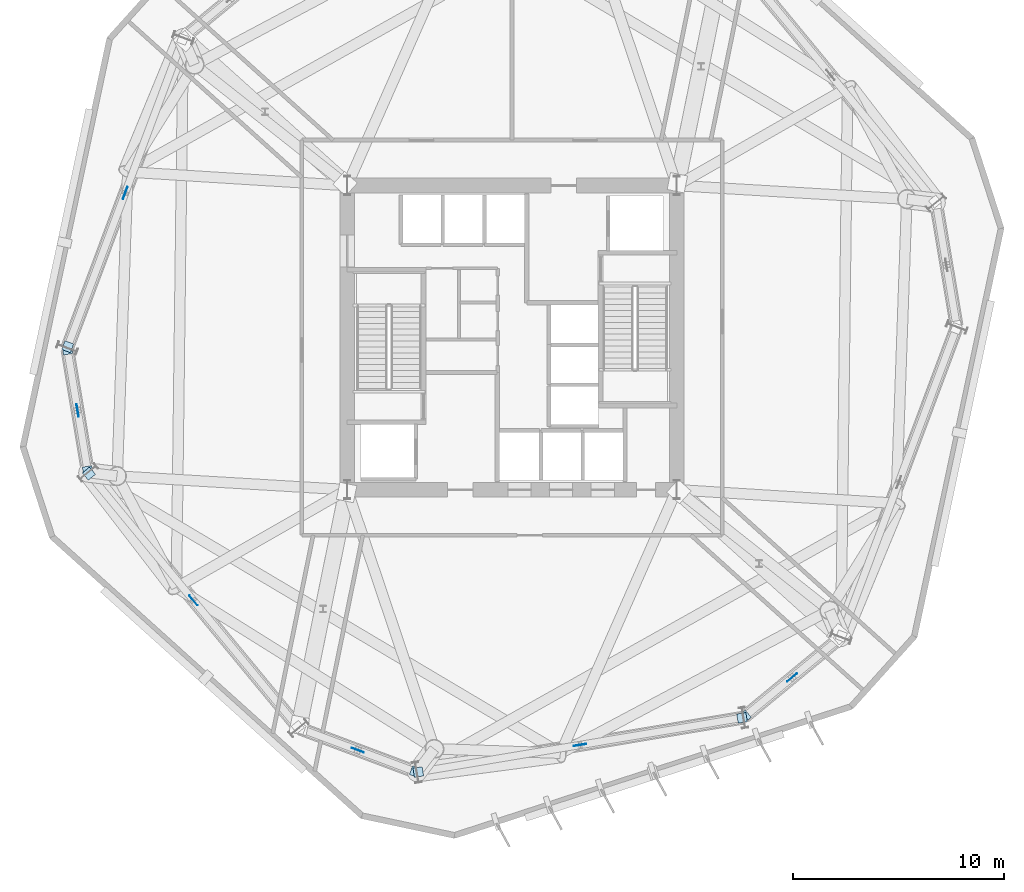
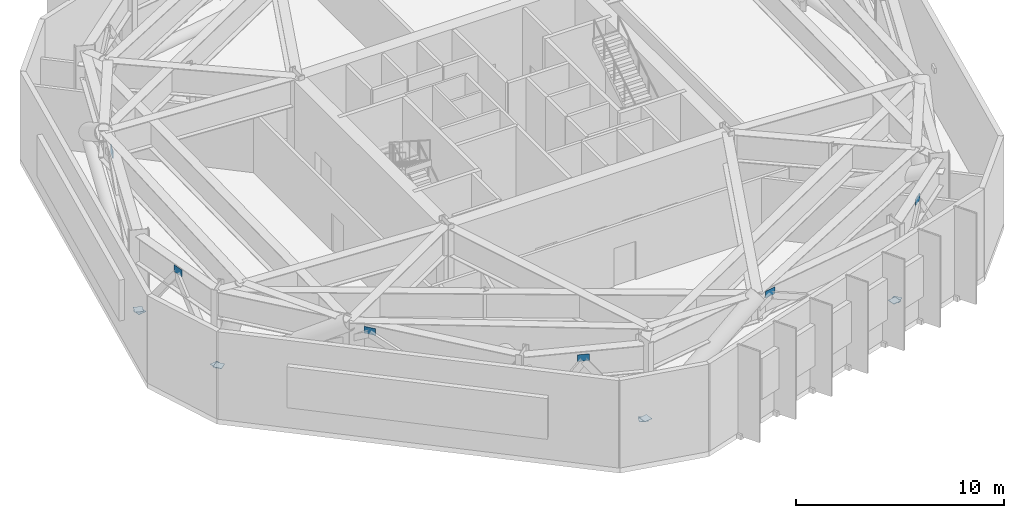
# One storey, part 4 of 12: 14 plates.
"""IFC4 building model written with IfcOpenShell, lengths in metres."""

from ifc_helpers import new_model, si_unit, direction, frame, origin, origin_2d, place, context, subcontext, project, spatial, rectangle, extrude, material, layer, layer_set, type_object, element, save


model = new_model("IFC4")

# Units and contexts
model_context = context("Model", 3, precision=1e-05, world=origin(), true_north=direction((0.0, 1.0)))
body_context = subcontext(model_context, "Body", "Model", "MODEL_VIEW")
ifc_project = project(units=[si_unit("LENGTHUNIT", "METRE"), si_unit("AREAUNIT", "SQUARE_METRE"), si_unit("VOLUMEUNIT", "CUBIC_METRE"), si_unit("PLANEANGLEUNIT", "RADIAN"), si_unit("MASSUNIT", "GRAM", prefix="KILO")], contexts=[model_context])

# Site, building, storey
site_placement = place(None, origin())
site = spatial("IfcSite", under=ifc_project, at=site_placement, CompositionType="ELEMENT")
building_placement = place(site_placement, origin())
building = spatial("IfcBuilding", under=site, at=building_placement, Name="Kranzbogen Civic Tower", CompositionType="ELEMENT")
storey_placement = place(building_placement, frame((0.0, 0.0, 92.0)))
storey = spatial("IfcBuildingStorey", under=building, at=storey_placement, Name="L22", CompositionType="ELEMENT", Elevation=92.0)

# Plates
ifc_material = material(Name="Steel S355", Category="steel")
ifc_layer_1 = layer(ifc_material, 0.028076171875, Name="Steel S355")
ifc_layer_set_1 = layer_set([ifc_layer_1], Name="Steel S355")
plate_type_1 = type_object("IfcPlateType", Name="Belt Truss Node Gusset Plate 600x400x28", PredefinedType="USERDEFINED", material=ifc_layer_set_1)
for number, where, z_axis, x_axis, name in (
    (1, (4.43603515625, 21.55908203125, 4.39013671875), (0.0, 0.0, 1.0), (0.164944321369, -0.986302879874, 0.0), "L22 belt truss apex gusset plate 01"),
    (2, (9.9150390625, 12.56494140625, 4.39013671875), (0.0, 0.0, 1.0), (0.63609168757, -0.771613481611, 0.0), "L22 belt truss apex gusset plate 02"),
    (3, (17.697998046875, 5.469970703125, 4.39013671875), (0.0, 0.0, 1.0), (0.936647737878, -0.350272772461, 0.0), "L22 belt truss apex gusset plate 03"),
    (4, (28.22705078125, 5.718017578125, 4.39013671875), (0.0, 0.0, 1.0), (0.986282720763, 0.165064819767, 0.0), "L22 belt truss apex gusset plate 04"),
    (5, (38.262939453125, 8.912109375, 4.39013671875), (0.0, 0.0, 1.0), (0.771657887308, 0.636037817237, 0.0), "L22 belt truss apex gusset plate 05"),
    (6, (6.68798828125, 31.845947265625, 4.39013671875), (0.0, 0.0, 1.0), (-0.350174685019, -0.936684413221, 0.0), "L22 belt truss apex gusset plate 12"),
):
    element("IfcPlate", number, at=place(storey_placement, frame(where, z_axis=z_axis, x_axis=x_axis)), inside=storey, type_object=plate_type_1, Name=name, ObjectType="GUSSET_PLATE", PredefinedType="USERDEFINED", context=body_context, shape_type="SweptSolid", body=[
        extrude(rectangle(XDim=0.60009765625, YDim=0.028076171875, at=origin_2d()), origin(), (0.0, 0.0, 1.0), 0.39990234375),
    ])
ifc_layer_2 = layer(ifc_material, 0.02490234375, Name="Steel S355")
ifc_layer_set_2 = layer_set([ifc_layer_2], Name="Steel S355")
plate_type_2 = type_object("IfcPlateType", Name="Hollow Section Sealed End Cap Plate 440x440x25", PredefinedType="SHEET", material=ifc_layer_set_2)
for number, where, z_axis, x_axis, name in (
    (7, (3.955078125, 24.431884765625, 0.62744140625), (0.0, 0.0, 1.0), (0.1651853157, -0.98626254693, 0.0), "DG-350: L22 belt truss diagonal 01A end cap 1"),
    (8, (4.916015625, 18.68603515625, 0.62744140625), (0.0, 0.0, 1.0), (-0.164841035069, 0.986320147395, 0.0), "DG-350: L22 belt truss diagonal 01B end cap 1"),
    (9, (4.971923828125, 18.56103515625, 0.631591796875), (0.0, 0.0, 1.0), (0.636132088286, -0.77158017487, 0.0), "DG-350: L22 belt truss diagonal 02A end cap 1"),
    (10, (20.427001953125, 4.448974609375, 0.62744140625), (0.0, 0.0, 1.0), (-0.936641624323, 0.350289119994, 0.0), "DG-350: L22 belt truss diagonal 03B end cap 1"),
    (11, (20.56298828125, 4.43505859375, 0.631591796875), (0.0, 0.0, 1.0), (0.986279839688, 0.165082033622, 0.0), "DG-350: L22 belt truss diagonal 04A end cap 1"),
    (12, (35.889892578125, 7.0009765625, 0.631591796875), (0.0, 0.0, 1.0), (-0.986274076637, -0.165116461183, 0.0), "DG-350: L22 belt truss diagonal 04B end cap 1"),
    (13, (36.013916015625, 7.05810546875, 0.62744140625), (0.0, 0.0, 1.0), (0.771624583388, 0.636078220278, 0.0), "DG-350: L22 belt truss diagonal 05A end cap 1"),
    (14, (3.967041015625, 24.569091796875, 0.631591796875), (0.0, 0.0, 1.0), (0.350207381259, 0.936672189248, 0.0), "DG-350: L22 belt truss diagonal 12B end cap 1"),
):
    element("IfcPlate", number, at=place(storey_placement, frame(where, z_axis=z_axis, x_axis=x_axis)), inside=storey, type_object=plate_type_2, Name=name, PredefinedType="SHEET", context=body_context, shape_type="SweptSolid", body=[
        extrude(rectangle(XDim=0.43994140625, YDim=0.43994140625, at=origin_2d()), origin(), (0.0, 0.0, 1.0), 0.02490234375),
    ])

save(model, "model.ifc")
